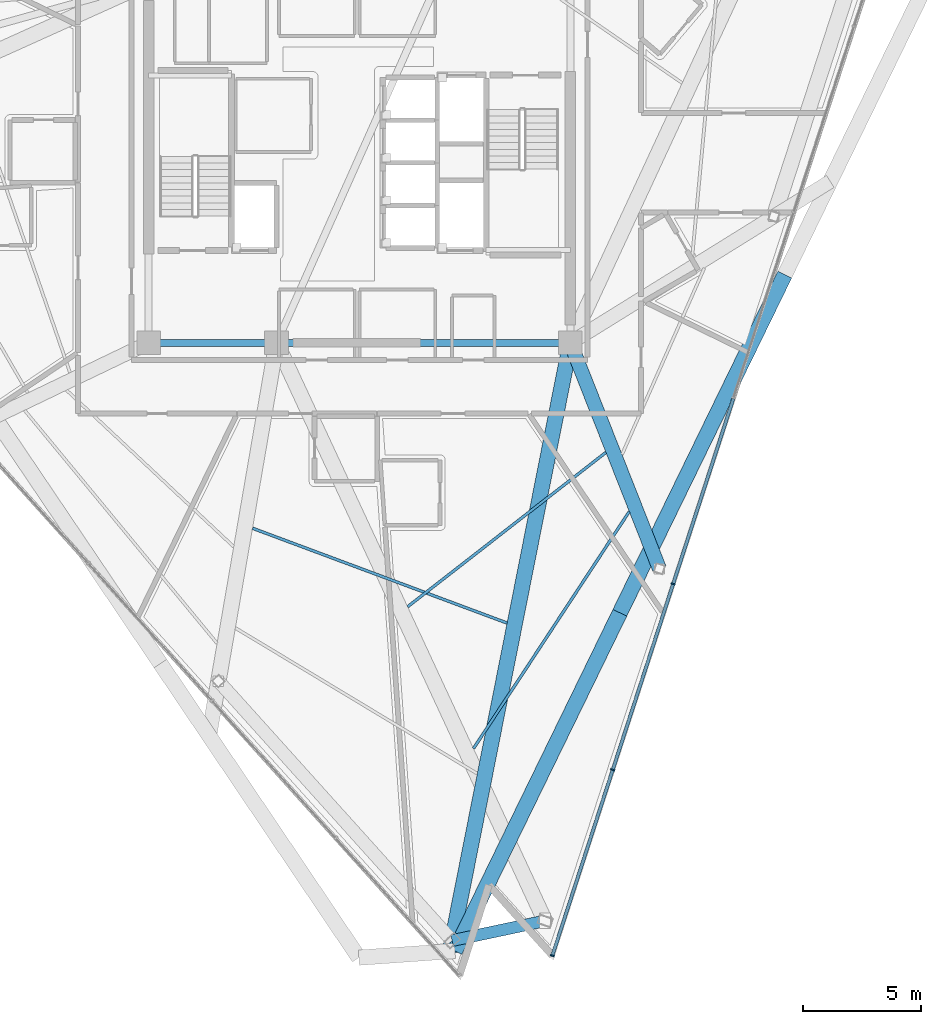
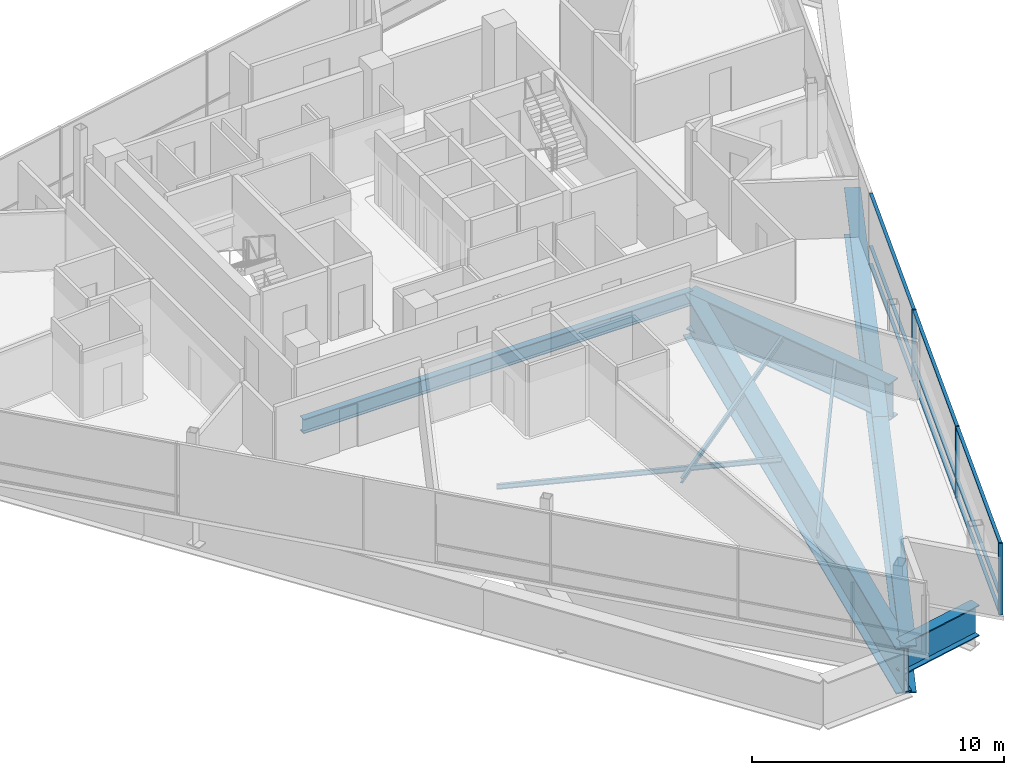
# One storey, part 4 of 18: 12 members, 10 beams, 1 element without a shape of its own.
"""IFC4 building model written with IfcOpenShell, lengths in metres."""

from ifc_helpers import new_model, si_unit, direction, frame, origin, origin_2d, place, context, subcontext, project, spatial, rectangle, i_section, extrude, material, layer, layer_set, material_profile, profile_set, type_object, element, aggregate, save


model = new_model("IFC4")

# Units and contexts
model_context = context("Model", 3, precision=1e-05, world=origin(), true_north=direction((0.0, 1.0)))
body_context = subcontext(model_context, "Body", "Model", "MODEL_VIEW")
ifc_project = project(units=[si_unit("LENGTHUNIT", "METRE"), si_unit("AREAUNIT", "SQUARE_METRE"), si_unit("VOLUMEUNIT", "CUBIC_METRE"), si_unit("PLANEANGLEUNIT", "RADIAN"), si_unit("MASSUNIT", "GRAM", prefix="KILO")], contexts=[model_context])

# Site, building, storey
site_placement = place(None, origin())
site = spatial("IfcSite", under=ifc_project, at=site_placement, CompositionType="ELEMENT")
building_placement = place(site_placement, origin())
building = spatial("IfcBuilding", under=site, at=building_placement, Name="Tharavind Bronze Gate", CompositionType="ELEMENT")
storey_placement = place(building_placement, frame((0.0, 0.0, 279.75)))
storey = spatial("IfcBuildingStorey", under=building, at=storey_placement, Name="L72", CompositionType="ELEMENT", Elevation=279.75)

# Curtain wall, members
ifc_material_1 = material(Name="Anodised Bronze Aluminium", Category="aluminium")
ifc_layer = layer(ifc_material_1, 0.219970703125)
ifc_layer_set = layer_set([ifc_layer], Name="Anodised Bronze Aluminium")
curtain_wall_type = type_object("IfcCurtainWallType", Name="UNITISED CURTAIN WALL CROWN", PredefinedType="USERDEFINED", material=ifc_layer_set)
curtain_wall_placement = place(storey_placement, origin())
curtain_wall = element("IfcCurtainWall", 1, at=curtain_wall_placement, inside=storey, type_object=curtain_wall_type, Name="L72 unitised curtain wall crown CW-L72-S2", ObjectType="UNITISED CURTAIN WALL", PredefinedType="USERDEFINED")
member_type_1 = type_object("IfcMemberType", Name="CURTAIN WALL BRONZE MULLION 65X180", PredefinedType="MULLION", material=ifc_material_1)
member_1_placement = place(storey_placement, frame((8.14111328125, -33.462646484375, 0.0), z_axis=(0.0, 0.0, 1.0), x_axis=(0.309016994375, 0.951056516295, 0.0)))
member_1 = element("IfcMember", 2, at=member_1_placement, type_object=member_type_1, Name="CW-L72-S2 mullion 1", PredefinedType="MULLION", context=body_context, shape_type="SweptSolid", body=[
    extrude(rectangle(XDim=0.06494140625, YDim=0.179931640625, at=origin_2d()), origin(), (0.0, 0.0, 1.0), 3.465087890625),
])
member_2_placement = place(storey_placement, frame((10.68994140625, -25.618408203125, 0.0), z_axis=(0.0, 0.0, 1.0), x_axis=(0.309016994375, 0.951056516295, 0.0)))
member_2 = element("IfcMember", 3, at=member_2_placement, type_object=member_type_1, Name="CW-L72-S2 mullion 2", PredefinedType="MULLION", context=body_context, shape_type="SweptSolid", body=[
    extrude(rectangle(XDim=0.06494140625, YDim=0.179931640625, at=origin_2d()), origin(), (0.0, 0.0, 1.0), 3.465087890625),
])
member_3_placement = place(storey_placement, frame((13.23876953125, -17.77392578125, 0.0), z_axis=(0.0, 0.0, 1.0), x_axis=(0.309016994375, 0.951056516295, 0.0)))
member_3 = element("IfcMember", 4, at=member_3_placement, type_object=member_type_1, Name="CW-L72-S2 mullion 3", PredefinedType="MULLION", context=body_context, shape_type="SweptSolid", body=[
    extrude(rectangle(XDim=0.06494140625, YDim=0.179931640625, at=origin_2d()), origin(), (0.0, 0.0, 1.0), 3.465087890625),
])
member_type_2 = type_object("IfcMemberType", Name="CURTAIN WALL BRONZE TRANSOM 65X140", PredefinedType="USERDEFINED", material=ifc_material_1)
member_4_placement = place(storey_placement, frame((9.41552734375, -29.54052734375, 0.0), z_axis=(0.0, 0.0, 1.0), x_axis=(0.309016994375, 0.951056516295, 0.0)))
member_4 = element("IfcMember", 5, at=member_4_placement, type_object=member_type_2, Name="CW-L72-S2 transom TB1", ObjectType="TRANSOM", PredefinedType="USERDEFINED", context=body_context, shape_type="SweptSolid", body=[
    extrude(rectangle(XDim=8.195068359375, YDim=0.139892578125, at=origin_2d()), origin(), (0.0, 0.0, 1.0), 0.06494140625),
])
member_5_placement = place(storey_placement, frame((9.41552734375, -29.54052734375, 0.867431640625), z_axis=(0.0, 0.0, 1.0), x_axis=(0.309016994375, 0.951056516295, 0.0)))
member_5 = element("IfcMember", 6, at=member_5_placement, type_object=member_type_2, Name="CW-L72-S2 transom TS1", ObjectType="TRANSOM", PredefinedType="USERDEFINED", context=body_context, shape_type="SweptSolid", body=[
    extrude(rectangle(XDim=8.195068359375, YDim=0.139892578125, at=origin_2d()), origin(), (0.0, 0.0, 1.0), 0.06494140625),
])
member_6_placement = place(storey_placement, frame((9.41552734375, -29.54052734375, 3.400146484375), z_axis=(0.0, 0.0, 1.0), x_axis=(0.309016994375, 0.951056516295, 0.0)))
member_6 = element("IfcMember", 7, at=member_6_placement, type_object=member_type_2, Name="CW-L72-S2 transom TT1", ObjectType="TRANSOM", PredefinedType="USERDEFINED", context=body_context, shape_type="SweptSolid", body=[
    extrude(rectangle(XDim=8.195068359375, YDim=0.139892578125, at=origin_2d()), origin(), (0.0, 0.0, 1.0), 0.06494140625),
])
member_7_placement = place(storey_placement, frame((11.96435546875, -21.6962890625, 0.0), z_axis=(0.0, 0.0, 1.0), x_axis=(0.309016994375, 0.951056516295, 0.0)))
member_7 = element("IfcMember", 8, at=member_7_placement, type_object=member_type_2, Name="CW-L72-S2 transom TB2", ObjectType="TRANSOM", PredefinedType="USERDEFINED", context=body_context, shape_type="SweptSolid", body=[
    extrude(rectangle(XDim=8.195068359375, YDim=0.139892578125, at=origin_2d()), origin(), (0.0, 0.0, 1.0), 0.06494140625),
])
member_8_placement = place(storey_placement, frame((11.96435546875, -21.6962890625, 0.867431640625), z_axis=(0.0, 0.0, 1.0), x_axis=(0.309016994375, 0.951056516295, 0.0)))
member_8 = element("IfcMember", 9, at=member_8_placement, type_object=member_type_2, Name="CW-L72-S2 transom TS2", ObjectType="TRANSOM", PredefinedType="USERDEFINED", context=body_context, shape_type="SweptSolid", body=[
    extrude(rectangle(XDim=8.195068359375, YDim=0.139892578125, at=origin_2d()), origin(), (0.0, 0.0, 1.0), 0.06494140625),
])
member_9_placement = place(storey_placement, frame((11.96435546875, -21.6962890625, 3.400146484375), z_axis=(0.0, 0.0, 1.0), x_axis=(0.309016994375, 0.951056516295, 0.0)))
member_9 = element("IfcMember", 10, at=member_9_placement, type_object=member_type_2, Name="CW-L72-S2 transom TT2", ObjectType="TRANSOM", PredefinedType="USERDEFINED", context=body_context, shape_type="SweptSolid", body=[
    extrude(rectangle(XDim=8.195068359375, YDim=0.139892578125, at=origin_2d()), origin(), (0.0, 0.0, 1.0), 0.06494140625),
])
member_10_placement = place(storey_placement, frame((14.51318359375, -13.851806640625, 0.0), z_axis=(0.0, 0.0, 1.0), x_axis=(0.309016994375, 0.951056516295, 0.0)))
member_10 = element("IfcMember", 11, at=member_10_placement, type_object=member_type_2, Name="CW-L72-S2 transom TB3", ObjectType="TRANSOM", PredefinedType="USERDEFINED", context=body_context, shape_type="SweptSolid", body=[
    extrude(rectangle(XDim=8.195068359375, YDim=0.139892578125, at=origin_2d()), origin(), (0.0, 0.0, 1.0), 0.06494140625),
])
member_11_placement = place(storey_placement, frame((14.51318359375, -13.851806640625, 0.867431640625), z_axis=(0.0, 0.0, 1.0), x_axis=(0.309016994375, 0.951056516295, 0.0)))
member_11 = element("IfcMember", 12, at=member_11_placement, type_object=member_type_2, Name="CW-L72-S2 transom TS3", ObjectType="TRANSOM", PredefinedType="USERDEFINED", context=body_context, shape_type="SweptSolid", body=[
    extrude(rectangle(XDim=8.195068359375, YDim=0.139892578125, at=origin_2d()), origin(), (0.0, 0.0, 1.0), 0.06494140625),
])
member_12_placement = place(storey_placement, frame((14.51318359375, -13.851806640625, 3.400146484375), z_axis=(0.0, 0.0, 1.0), x_axis=(0.309016994375, 0.951056516295, 0.0)))
member_12 = element("IfcMember", 13, at=member_12_placement, type_object=member_type_2, Name="CW-L72-S2 transom TT3", ObjectType="TRANSOM", PredefinedType="USERDEFINED", context=body_context, shape_type="SweptSolid", body=[
    extrude(rectangle(XDim=8.195068359375, YDim=0.139892578125, at=origin_2d()), origin(), (0.0, 0.0, 1.0), 0.06494140625),
])
aggregate(curtain_wall, [member_1, member_2, member_3, member_4, member_5, member_6, member_7, member_8, member_9, member_10, member_11, member_12])

# Beams
ifc_material_2 = material(Name="Steel S355", Category="steel")
ifc_material_profile_1 = material_profile(ifc_material_2, i_section(OverallWidth=0.300048828125, OverallDepth=0.699951171875, WebThickness=0.01708984375, FlangeThickness=0.031982421875, at=origin_2d()), Name="HE700B")
ifc_profile_set_1 = profile_set([ifc_material_profile_1], Name="Steel S355")
beam_type_1 = type_object("IfcBeamType", Name="RING GIRDER HE700B", PredefinedType="USERDEFINED", material=ifc_profile_set_1)
beam_1_placement = place(storey_placement, frame((-8.89990234375, -7.60009765625, -0.5400390625), z_axis=(1.0, 0.0, 0.0), x_axis=(0.0, 1.0, 0.0)))
element("IfcBeam", 14, at=beam_1_placement, inside=storey, type_object=beam_type_1, Name="L72 ring girder he700b BM-L72-CR1", ObjectType="GIRDER", PredefinedType="USERDEFINED", context=body_context, shape_type="SweptSolid", body=[
    extrude(i_section(OverallWidth=0.300048828125, OverallDepth=0.699951171875, WebThickness=0.01708984375, FlangeThickness=0.031982421875, at=origin_2d()), origin(), (0.0, 0.0, 1.0), 5.39990234375),
])
beam_2_placement = place(storey_placement, frame((-3.5, -7.60009765625, -0.5400390625), z_axis=(1.0, 0.0, 0.0), x_axis=(0.0, 1.0, 0.0)))
element("IfcBeam", 15, at=beam_2_placement, inside=storey, type_object=beam_type_1, Name="L72 ring girder he700b BM-L72-CR2", ObjectType="GIRDER", PredefinedType="USERDEFINED", context=body_context, shape_type="SweptSolid", body=[
    extrude(i_section(OverallWidth=0.300048828125, OverallDepth=0.699951171875, WebThickness=0.01708984375, FlangeThickness=0.031982421875, at=origin_2d()), origin(), (0.0, 0.0, 1.0), 12.39990234375),
])
ifc_material_profile_2 = material_profile(ifc_material_2, i_section(OverallWidth=0.1201171875, OverallDepth=0.239990234375, WebThickness=0.006103515625, FlangeThickness=0.009765625, at=origin_2d()), Name="IPE240")
ifc_profile_set_2 = profile_set([ifc_material_profile_2], Name="Steel S355")
beam_type_2 = type_object("IfcBeamType", Name="SECONDARY FLOOR JOIST IPE240", PredefinedType="JOIST", material=ifc_profile_set_2)
beam_3_placement = place(storey_placement, frame((-4.51123046875, -15.42578125, -0.31005859375), z_axis=(0.937107126435, -0.349041879414, 0.0), x_axis=(0.349041879414, 0.937107126435, 0.0)))
element("IfcBeam", 16, at=beam_3_placement, inside=storey, type_object=beam_type_2, Name="L72 secondary floor joist ipe240 BM-L72-JSTA03", PredefinedType="JOIST", context=body_context, shape_type="SweptSolid", body=[
    extrude(i_section(OverallWidth=0.1201171875, OverallDepth=0.239990234375, WebThickness=0.006103515625, FlangeThickness=0.009765625, at=origin_2d()), origin(), (0.0, 0.0, 1.0), 11.45703125),
])
beam_4_placement = place(storey_placement, frame((2.034423828125, -18.736572265625, -0.31005859375), z_axis=(0.789118979517, 0.614240373279, 0.0), x_axis=(-0.614240373279, 0.789118979517, 0.0)))
element("IfcBeam", 17, at=beam_4_placement, inside=storey, type_object=beam_type_2, Name="L72 secondary floor joist ipe240 BM-L72-JSTA05", PredefinedType="JOIST", context=body_context, shape_type="SweptSolid", body=[
    extrude(i_section(OverallWidth=0.1201171875, OverallDepth=0.239990234375, WebThickness=0.006103515625, FlangeThickness=0.009765625, at=origin_2d()), origin(), (0.0, 0.0, 1.0), 10.598876953125),
])
beam_5_placement = place(storey_placement, frame((4.8125, -24.719970703125, -0.31005859375), z_axis=(0.549343217309, 0.835596810428, 0.0), x_axis=(-0.835596810428, 0.549343217309, 0.0)))
element("IfcBeam", 18, at=beam_5_placement, inside=storey, type_object=beam_type_2, Name="L72 secondary floor joist ipe240 BM-L72-JSTB05", PredefinedType="JOIST", context=body_context, shape_type="SweptSolid", body=[
    extrude(i_section(OverallWidth=0.1201171875, OverallDepth=0.239990234375, WebThickness=0.006103515625, FlangeThickness=0.009765625, at=origin_2d()), origin(), (0.0, 0.0, 1.0), 11.962646484375),
])
ifc_material_3 = material(Name="Steel S460", Category="steel")
ifc_material_profile_3 = material_profile(ifc_material_3, i_section(OverallWidth=0.5, OverallDepth=1.5, WebThickness=0.028076171875, FlangeThickness=0.050048828125, at=origin_2d()), Name="PG1500X500")
ifc_profile_set_3 = profile_set([ifc_material_profile_3], Name="Steel S460")
beam_type_3 = type_object("IfcBeamType", Name="TRANSFER GIRDER 1500X500", PredefinedType="USERDEFINED", material=ifc_profile_set_3)
beam_6_placement = place(storey_placement, frame((3.908935546875, -32.82861328125, -0.93994140625), z_axis=(0.978162875873, 0.207839813954, 0.0), x_axis=(-0.207839813954, 0.978162875873, 0.0)))
element("IfcBeam", 19, at=beam_6_placement, inside=storey, type_object=beam_type_3, Name="L72 transfer girder 1500x500 BM-L72-URG04", ObjectType="TRANSFER GIRDER", PredefinedType="USERDEFINED", context=body_context, shape_type="SweptSolid", body=[
    extrude(i_section(OverallWidth=0.5, OverallDepth=1.5, WebThickness=0.028076171875, FlangeThickness=0.050048828125, at=origin_2d()), origin(), (0.0, 0.0, 1.0), 4.0078125),
])
ifc_material_profile_4 = material_profile(ifc_material_3, i_section(OverallWidth=0.60009765625, OverallDepth=1.800048828125, WebThickness=0.031982421875, FlangeThickness=0.054931640625, at=origin_2d()), Name="PG1800X600")
ifc_profile_set_4 = profile_set([ifc_material_profile_4], Name="Steel S460")
beam_type_4 = type_object("IfcBeamType", Name="TRANSFER GIRDER 1800X600", PredefinedType="USERDEFINED", material=ifc_profile_set_4)
beam_7_placement = place(storey_placement, frame((8.89990234375, -7.60009765625, -1.090087890625), z_axis=(0.366932678931, -0.930247498859, 0.0), x_axis=(0.930247498859, 0.366932678931, 0.0)))
element("IfcBeam", 20, at=beam_7_placement, inside=storey, type_object=beam_type_4, Name="L72 transfer girder 1800x600 BM-L72-XFR06", ObjectType="TRANSFER GIRDER", PredefinedType="USERDEFINED", context=body_context, shape_type="SweptSolid", body=[
    extrude(i_section(OverallWidth=0.60009765625, OverallDepth=1.800048828125, WebThickness=0.031982421875, FlangeThickness=0.054931640625, at=origin_2d()), origin(), (0.0, 0.0, 1.0), 10.2451171875),
])
ifc_material_profile_5 = material_profile(ifc_material_3, i_section(OverallWidth=0.64990234375, OverallDepth=2.199951171875, WebThickness=0.035888671875, FlangeThickness=0.054931640625, at=origin_2d()), Name="PG2200X650")
ifc_profile_set_5 = profile_set([ifc_material_profile_5], Name="Steel S460")
beam_type_5 = type_object("IfcBeamType", Name="TRANSFER GIRDER 2200X650", PredefinedType="USERDEFINED", material=ifc_profile_set_5)
beam_8_placement = place(storey_placement, frame((8.89990234375, -7.60009765625, -1.2900390625), z_axis=(-0.194072871209, -0.980987115441, 0.0), x_axis=(0.980987115441, -0.194072871209, 0.0)))
element("IfcBeam", 21, at=beam_8_placement, inside=storey, type_object=beam_type_5, Name="L72 transfer girder 2200x650 BM-L72-XFR04", ObjectType="TRANSFER GIRDER", PredefinedType="USERDEFINED", context=body_context, shape_type="SweptSolid", body=[
    extrude(i_section(OverallWidth=0.64990234375, OverallDepth=2.199951171875, WebThickness=0.035888671875, FlangeThickness=0.054931640625, at=origin_2d()), origin(), (0.0, 0.0, 1.0), 26.177490234375),
])
ifc_material_profile_6 = material_profile(ifc_material_3, i_section(OverallWidth=0.64990234375, OverallDepth=2.300048828125, WebThickness=0.035888671875, FlangeThickness=0.05810546875, at=origin_2d()), Name="PG2300X650")
ifc_profile_set_6 = profile_set([ifc_material_profile_6], Name="Steel S460")
beam_type_6 = type_object("IfcBeamType", Name="TRANSFER GIRDER 2300X650", PredefinedType="USERDEFINED", material=ifc_profile_set_6)
for number, where, z_axis, x_axis, name in (
    (22, (4.029296875, -33.26513671875, -1.340087890625), (0.43838485681, 0.898787359346, 0.0), (-0.898787359346, 0.43838485681, 0.0), "L72 transfer girder 2300x650 BM-L72-LRG05"),
    (23, (10.990234375, -18.99365234375, -1.340087890625), (0.438366378116, 0.898796372121, 0.0), (-0.898796372121, 0.438366378116, 0.0), "L72 transfer girder 2300x650 BM-L72-LRG06"),
):
    element("IfcBeam", number, at=place(storey_placement, frame(where, z_axis=z_axis, x_axis=x_axis)), inside=storey, type_object=beam_type_6, Name=name, ObjectType="TRANSFER GIRDER", PredefinedType="USERDEFINED", context=body_context, shape_type="SweptSolid", body=[
        extrude(i_section(OverallWidth=0.64990234375, OverallDepth=2.300048828125, WebThickness=0.035888671875, FlangeThickness=0.05810546875, at=origin_2d()), origin(), (0.0, 0.0, 1.0), 15.878662109375),
    ])

save(model, "model.ifc")
